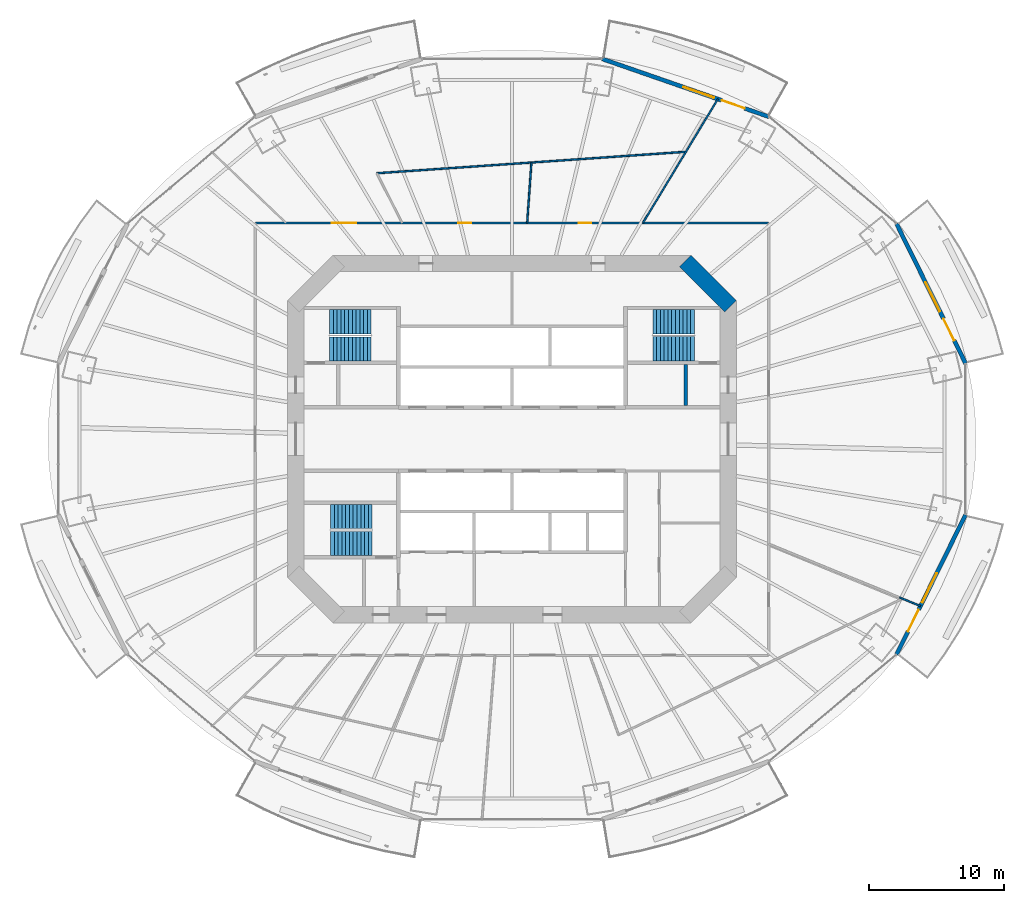
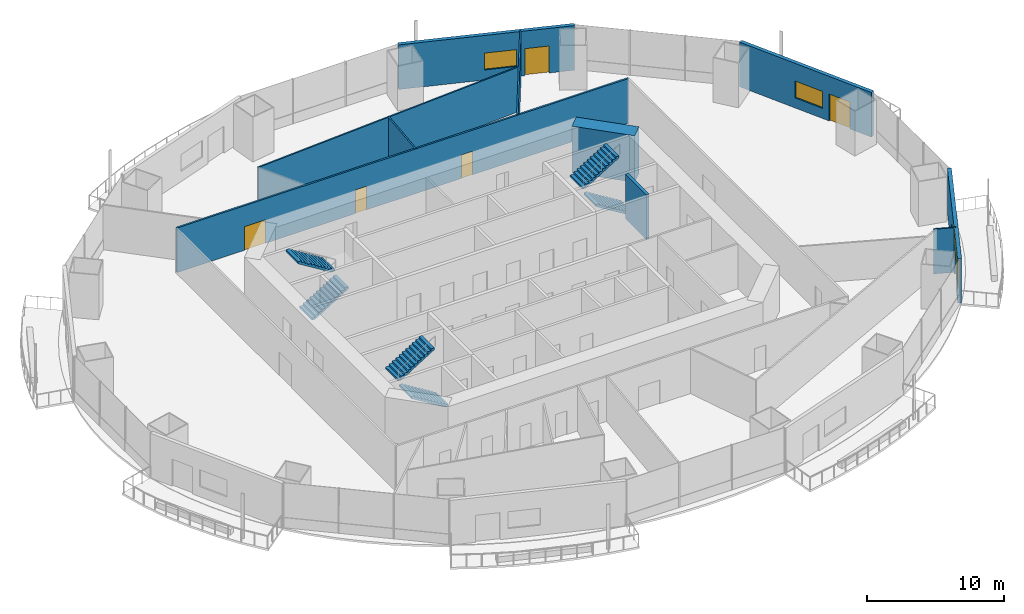
# One storey, part 16 of 22: 10 walls, 6 doors, 6 stair flights, 3 windows, 9 openings, 3 elements without a shape of their own.
"""IFC4 building model written with IfcOpenShell, lengths in metres."""

from ifc_helpers import new_model, si_unit, direction, frame, frame_2d, origin, place, context, subcontext, project, spatial, polyline, rectangle, outline, extrude, material, layer, layer_set, type_object, element, fill, aggregate, save


model = new_model("IFC4")

# Units and contexts
model_context = context("Model", 3, precision=1e-05, world=origin(), true_north=direction((0.0, 1.0)))
body_context = subcontext(model_context, "Body", "Model", "MODEL_VIEW")
ifc_project = project(units=[si_unit("LENGTHUNIT", "METRE"), si_unit("AREAUNIT", "SQUARE_METRE"), si_unit("VOLUMEUNIT", "CUBIC_METRE"), si_unit("PLANEANGLEUNIT", "RADIAN"), si_unit("MASSUNIT", "GRAM", prefix="KILO")], contexts=[model_context])

# Site, building, storey
site_placement = place(None, origin())
site = spatial("IfcSite", under=ifc_project, at=site_placement, CompositionType="ELEMENT")
building_placement = place(site_placement, origin())
building = spatial("IfcBuilding", under=site, at=building_placement, Name="Marenthal Gate Tower", CompositionType="ELEMENT")
storey_placement = place(building_placement, frame((0.0, 0.0, 107.699951171875)))
storey = spatial("IfcBuildingStorey", under=building, at=storey_placement, Name="L22", CompositionType="ELEMENT", Elevation=107.699951171875)

# Walls
ifc_material_1 = material(Name="Concrete 60 MPa", Category="concrete")
ifc_layer_1 = layer(ifc_material_1, 1.199951171875)
ifc_layer_set_1 = layer_set([ifc_layer_1], Name="Core shear wall 1200")
wall_type_1 = type_object("IfcWallType", Name="Core shear wall 1200", PredefinedType="SHEAR", material=ifc_layer_set_1)
wall_1_placement = place(storey_placement, frame((16.17578125, 9.82421875, -0.179931640625), z_axis=(0.0, 0.0, 1.0), x_axis=(-0.707106781187, 0.707106781187, 0.0)))
element("IfcWall", 1, at=wall_1_placement, inside=storey, type_object=wall_type_1, Name="Core wall 03", PredefinedType="SHEAR", context=body_context, shape_type="SweptSolid", body=[
    extrude(rectangle(XDim=4.73974609375, YDim=1.199951171875, at=frame_2d((2.369873046875, 0.0))), origin(), (0.0, 0.0, 1.0), 4.14990234375),
])
ifc_material_2 = material(Name="Gypsum board on steel studs", Category="steel")
ifc_layer_2 = layer(ifc_material_2, 0.1201171875)
ifc_layer_set_2 = layer_set([ifc_layer_2], Name="Partition 120")
wall_type_2 = type_object("IfcWallType", Name="Partition 120", PredefinedType="PARTITIONING", material=ifc_layer_set_2)
wall_2_placement = place(storey_placement, frame((1.436279296875, 20.469482421875, 0.0), z_axis=(0.0, 0.0, 1.0), x_axis=(-0.069965230182, -0.997549430638, 0.0)))
element("IfcWall", 2, at=wall_2_placement, inside=storey, type_object=wall_type_2, Name="Partition wall 58", PredefinedType="PARTITIONING", context=body_context, shape_type="SweptSolid", body=[
    extrude(rectangle(XDim=4.48046875, YDim=0.1201171875, at=frame_2d((2.240234375, 0.0))), origin(), (0.0, 0.0, 1.0), 3.969970703125),
])
wall_3_placement = place(storey_placement, frame((9.687255859375, 16.0, 0.0), z_axis=(0.0, 0.0, 1.0), x_axis=(0.517899667471, 0.855441368203, 0.0)))
element("IfcWall", 3, at=wall_3_placement, inside=storey, type_object=wall_type_2, Name="Partition wall 61", PredefinedType="PARTITIONING", context=body_context, shape_type="SweptSolid", body=[
    extrude(rectangle(XDim=10.714111328125, YDim=0.1201171875, at=frame_2d((5.35693359375, 0.0))), origin(), (0.0, 0.0, 1.0), 3.969970703125),
])
wall_4_placement = place(storey_placement, frame((12.8740234375, 21.263671875, 0.0), z_axis=(0.0, 0.0, 1.0), x_axis=(-0.99759796259, -0.069269798869, 0.0)))
element("IfcWall", 4, at=wall_4_placement, inside=storey, type_object=wall_type_2, Name="Partition wall 62", PredefinedType="PARTITIONING", context=body_context, shape_type="SweptSolid", body=[
    extrude(rectangle(XDim=22.930419921875, YDim=0.1201171875, at=frame_2d((11.46533203125, 0.0))), origin(), (0.0, 0.0, 1.0), 3.969970703125),
])
wall_5_placement = place(storey_placement, frame((28.6875, -11.721923828125, 0.0), z_axis=(0.0, 0.0, 1.0), x_axis=(0.92568226143, -0.378301930835, 0.0)))
element("IfcWall", 5, at=wall_5_placement, inside=storey, type_object=wall_type_2, Name="Partition wall 67", PredefinedType="PARTITIONING", context=body_context, shape_type="SweptSolid", body=[
    extrude(rectangle(XDim=1.666259765625, YDim=0.1201171875, at=frame_2d((0.8330078125, 0.0))), origin(), (0.0, 0.0, 1.0), 3.969970703125),
])

# Wall, openings, doors
ifc_material_3 = material(Name="Gypsum board on steel studs", Category="steel")
ifc_layer_3 = layer(ifc_material_3, 0.14990234375)
ifc_layer_set_3 = layer_set([ifc_layer_3], Name="Partition 150")
wall_type_3 = type_object("IfcWallType", Name="Partition 150", PredefinedType="PARTITIONING", material=ifc_layer_set_3)
wall_6_placement = place(storey_placement, frame((-19.0, 16.0, 0.0), z_axis=(0.0, 0.0, 1.0), x_axis=(1.0, 0.0, 0.0)))
wall_6 = element("IfcWall", 6, at=wall_6_placement, inside=storey, type_object=wall_type_3, Name="Partition wall 49", PredefinedType="PARTITIONING", context=body_context, shape_type="SweptSolid", body=[
    extrude(rectangle(XDim=38.0, YDim=0.14990234375, at=frame_2d((19.0, 0.0))), origin(), (0.0, 0.0, 1.0), 3.969970703125),
])
opening_1_placement = place(wall_6_placement, frame((23.929931640625, 0.0, 0.0)))
opening_1 = element("IfcOpeningElement", 7, at=opening_1_placement, cuts=wall_6, Name="Opening D016.01", PredefinedType="OPENING", context=body_context, shape_type="SweptSolid", body=[
    extrude(rectangle(XDim=0.949951171875, YDim=2.10009765625, at=frame_2d((0.47509765625, 1.050048828125))), frame((0.0, 0.0849609375, 0.0), z_axis=(0.0, -1.0, 0.0), x_axis=(1.0, 0.0, 0.0)), (0.0, 0.0, 1.0), 0.169921875),
])
opening_2_placement = place(wall_6_placement, frame((15.02001953125, 0.0, 0.0)))
opening_2 = element("IfcOpeningElement", 8, at=opening_2_placement, cuts=wall_6, Name="Opening D016.02", PredefinedType="OPENING", context=body_context, shape_type="SweptSolid", body=[
    extrude(rectangle(XDim=0.949951171875, YDim=2.10009765625, at=frame_2d((0.47509765625, 1.050048828125))), frame((0.0, 0.0849609375, 0.0), z_axis=(0.0, -1.0, 0.0), x_axis=(1.0, 0.0, 0.0)), (0.0, 0.0, 1.0), 0.169921875),
])
opening_3_placement = place(wall_6_placement, frame((5.6708984375, 0.0, 0.0)))
opening_3 = element("IfcOpeningElement", 9, at=opening_3_placement, cuts=wall_6, Name="Opening D014.01", PredefinedType="OPENING", context=body_context, shape_type="SweptSolid", body=[
    extrude(rectangle(XDim=1.800048828125, YDim=2.10009765625, at=frame_2d((0.89990234375, 1.050048828125))), frame((0.0, 0.0849609375, 0.0), z_axis=(0.0, -1.0, 0.0), x_axis=(1.0, 0.0, 0.0)), (0.0, 0.0, 1.0), 0.169921875),
])
ifc_material_4 = material(Name="Timber door", Category="wood")
door_type_1 = type_object("IfcDoorType", Name="Door 950 x 2100", OperationType="NOTDEFINED", PredefinedType="DOOR", material=ifc_material_4)
door_1_placement = place(opening_1_placement, origin())
door_1 = element("IfcDoor", 10, at=door_1_placement, inside=storey, type_object=door_type_1, Name="Door D016.01", OperationType="SINGLE_SWING_RIGHT", OverallHeight=2.10009765625, OverallWidth=0.949951171875, PredefinedType="DOOR", context=body_context, shape_type="SweptSolid", body=[
    extrude(rectangle(XDim=0.949951171875, YDim=2.10009765625, at=frame_2d((0.47509765625, 1.050048828125))), frame((0.0, 0.02490234375, 0.0), z_axis=(0.0, -1.0, 0.0), x_axis=(1.0, 0.0, 0.0)), (0.0, 0.0, 1.0), 0.050048828125),
])
fill(opening_1, door_1)
door_2_placement = place(opening_2_placement, origin())
door_2 = element("IfcDoor", 11, at=door_2_placement, inside=storey, type_object=door_type_1, Name="Door D016.02", OperationType="SINGLE_SWING_RIGHT", OverallHeight=2.10009765625, OverallWidth=0.949951171875, PredefinedType="DOOR", context=body_context, shape_type="SweptSolid", body=[
    extrude(rectangle(XDim=0.949951171875, YDim=2.10009765625, at=frame_2d((0.47509765625, 1.050048828125))), frame((0.0, 0.02490234375, 0.0), z_axis=(0.0, -1.0, 0.0), x_axis=(1.0, 0.0, 0.0)), (0.0, 0.0, 1.0), 0.050048828125),
])
fill(opening_2, door_2)
ifc_material_5 = material(Name="Timber door", Category="wood")
door_type_2 = type_object("IfcDoorType", Name="Double door 1800 x 2100", OperationType="DOUBLE_DOOR_SINGLE_SWING", PredefinedType="DOOR", material=ifc_material_5)
door_3_placement = place(opening_3_placement, origin())
door_3 = element("IfcDoor", 12, at=door_3_placement, inside=storey, type_object=door_type_2, Name="Door D014.01", OperationType="DOUBLE_DOOR_SINGLE_SWING", OverallHeight=2.10009765625, OverallWidth=1.800048828125, PredefinedType="DOOR", context=body_context, shape_type="SweptSolid", body=[
    extrude(rectangle(XDim=1.800048828125, YDim=2.10009765625, at=frame_2d((0.89990234375, 1.050048828125))), frame((0.0, 0.02490234375, 0.0), z_axis=(0.0, -1.0, 0.0), x_axis=(1.0, 0.0, 0.0)), (0.0, 0.0, 1.0), 0.050048828125),
])
fill(opening_3, door_3)

# Wall
ifc_material_6 = material(Name="Concrete 40 MPa", Category="concrete")
ifc_layer_4 = layer(ifc_material_6, 0.25)
ifc_layer_set_4 = layer_set([ifc_layer_4], Name="Stair enclosure wall 250")
wall_type_4 = type_object("IfcWallType", Name="Stair enclosure wall 250", PredefinedType="STANDARD", material=ifc_layer_set_4)
wall_7_placement = place(storey_placement, frame((12.85009765625, 2.47509765625, 0.0), z_axis=(0.0, 0.0, 1.0), x_axis=(0.0, 1.0, 0.0)))
element("IfcWall", 13, at=wall_7_placement, inside=storey, type_object=wall_type_4, Name="Stair wall 46", PredefinedType="STANDARD", context=body_context, shape_type="SweptSolid", body=[
    extrude(rectangle(XDim=3.0498046875, YDim=0.25, at=frame_2d((1.52490234375, 0.0))), origin(), (0.0, 0.0, 1.0), 3.969970703125),
])

# Wall, openings, door, window
ifc_material_7 = material(Name="Terracotta cladding on insulated concrete-block backing", Category="masonry")
ifc_layer_5 = layer(ifc_material_7, 0.300048828125)
ifc_layer_set_5 = layer_set([ifc_layer_5], Name="Terracotta facade wall 300")
wall_type_5 = type_object("IfcWallType", Name="Terracotta facade wall 300", PredefinedType="SOLIDWALL", material=ifc_layer_set_5)
wall_8_placement = place(storey_placement, frame((33.568359375, 5.5966796875, 0.0), z_axis=(0.0, 0.0, 1.0), x_axis=(-0.443018089739, 0.896512672618, 0.0)))
wall_8 = element("IfcWall", 14, at=wall_8_placement, inside=storey, type_object=wall_type_5, Name="Terracotta facade wall L22 bay 1", PredefinedType="SOLIDWALL", context=body_context, shape_type="SweptSolid", body=[
    extrude(rectangle(XDim=11.535400390625, YDim=0.300048828125, at=frame_2d((5.767578125, 0.0))), origin(), (0.0, 0.0, 1.0), 3.969970703125),
])
opening_4_placement = place(wall_8_placement, frame((1.89990234375, 0.0, 0.0)))
opening_4 = element("IfcOpeningElement", 15, at=opening_4_placement, cuts=wall_8, Name="Opening BD-L22-01", PredefinedType="OPENING", context=body_context, shape_type="SweptSolid", body=[
    extrude(rectangle(XDim=1.800048828125, YDim=2.39990234375, at=frame_2d((0.89990234375, 1.199951171875))), frame((0.0, 0.16015625, 0.0), z_axis=(0.0, -1.0, 0.0), x_axis=(1.0, 0.0, 0.0)), (0.0, 0.0, 1.0), 0.320068359375),
])
opening_5_placement = place(wall_8_placement, frame((4.300048828125, 0.0, 0.89990234375)))
opening_5 = element("IfcOpeningElement", 16, at=opening_5_placement, cuts=wall_8, Name="Opening WN1-L22-01", PredefinedType="OPENING", context=body_context, shape_type="SweptSolid", body=[
    extrude(rectangle(XDim=2.39990234375, YDim=1.5, at=frame_2d((1.199951171875, 0.75))), frame((0.0, 0.16015625, 0.0), z_axis=(0.0, -1.0, 0.0), x_axis=(1.0, 0.0, 0.0)), (0.0, 0.0, 1.0), 0.320068359375),
])
ifc_material_8 = material(Name="Aluminium and glass", Category="aluminium")
door_type_3 = type_object("IfcDoorType", Name="Balcony door 1800x2400", OperationType="DOUBLE_DOOR_SINGLE_SWING", PredefinedType="DOOR", material=ifc_material_8)
door_4_placement = place(opening_4_placement, origin())
door_4 = element("IfcDoor", 17, at=door_4_placement, inside=storey, type_object=door_type_3, Name="Balcony door L22 bay 1", OperationType="SINGLE_SWING_LEFT", OverallHeight=2.39990234375, OverallWidth=1.800048828125, PredefinedType="DOOR", context=body_context, shape_type="SweptSolid", body=[
    extrude(rectangle(XDim=1.800048828125, YDim=2.39990234375, at=frame_2d((0.89990234375, 1.199951171875))), frame((0.0, 0.02490234375, 0.0), z_axis=(0.0, -1.0, 0.0), x_axis=(1.0, 0.0, 0.0)), (0.0, 0.0, 1.0), 0.050048828125),
])
fill(opening_4, door_4)
ifc_material_9 = material(Name="Aluminium and glass", Category="aluminium")
window_type = type_object("IfcWindowType", Name="Window 2400x1500", PartitioningType="TRIPLE_PANEL_VERTICAL", PredefinedType="WINDOW", material=ifc_material_9)
window_1_placement = place(opening_5_placement, origin())
window_1 = element("IfcWindow", 18, at=window_1_placement, inside=storey, type_object=window_type, Name="Window L22 bay 1", OverallHeight=1.5, OverallWidth=2.39990234375, PartitioningType="SINGLE_PANEL", PredefinedType="WINDOW", context=body_context, shape_type="SweptSolid", body=[
    extrude(rectangle(XDim=2.39990234375, YDim=1.5, at=frame_2d((1.199951171875, 0.75))), frame((0.0, 0.030029296875, 0.0), z_axis=(0.0, -1.0, 0.0), x_axis=(1.0, 0.0, 0.0)), (0.0, 0.0, 1.0), 0.06005859375),
])
fill(opening_5, window_1)

wall_9_placement = place(storey_placement, frame((19.014892578125, 23.853271484375, 0.0), z_axis=(0.0, 0.0, 1.0), x_axis=(-0.944684524645, 0.327980409318, 0.0)))
wall_9 = element("IfcWall", 19, at=wall_9_placement, inside=storey, type_object=wall_type_5, Name="Terracotta facade wall L22 bay 3", PredefinedType="SOLIDWALL", context=body_context, shape_type="SweptSolid", body=[
    extrude(rectangle(XDim=13.06005859375, YDim=0.300048828125, at=frame_2d((6.530029296875, 0.0))), origin(), (0.0, 0.0, 1.0), 3.969970703125),
])
opening_6_placement = place(wall_9_placement, frame((1.89990234375, 0.0, 0.0)))
opening_6 = element("IfcOpeningElement", 20, at=opening_6_placement, cuts=wall_9, Name="Opening BD-L22-03", PredefinedType="OPENING", context=body_context, shape_type="SweptSolid", body=[
    extrude(rectangle(XDim=1.800048828125, YDim=2.39990234375, at=frame_2d((0.89990234375, 1.199951171875))), frame((0.0, 0.16015625, 0.0), z_axis=(0.0, -1.0, 0.0), x_axis=(1.0, 0.0, 0.0)), (0.0, 0.0, 1.0), 0.320068359375),
])
opening_7_placement = place(wall_9_placement, frame((4.300048828125, 0.0, 0.89990234375)))
opening_7 = element("IfcOpeningElement", 21, at=opening_7_placement, cuts=wall_9, Name="Opening WN1-L22-03", PredefinedType="OPENING", context=body_context, shape_type="SweptSolid", body=[
    extrude(rectangle(XDim=2.39990234375, YDim=1.5, at=frame_2d((1.199951171875, 0.75))), frame((0.0, 0.16015625, 0.0), z_axis=(0.0, -1.0, 0.0), x_axis=(1.0, 0.0, 0.0)), (0.0, 0.0, 1.0), 0.320068359375),
])
door_5_placement = place(opening_6_placement, origin())
door_5 = element("IfcDoor", 22, at=door_5_placement, inside=storey, type_object=door_type_3, Name="Balcony door L22 bay 3", OperationType="SINGLE_SWING_LEFT", OverallHeight=2.39990234375, OverallWidth=1.800048828125, PredefinedType="DOOR", context=body_context, shape_type="SweptSolid", body=[
    extrude(rectangle(XDim=1.800048828125, YDim=2.39990234375, at=frame_2d((0.89990234375, 1.199951171875))), frame((0.0, 0.02490234375, 0.0), z_axis=(0.0, -1.0, 0.0), x_axis=(1.0, 0.0, 0.0)), (0.0, 0.0, 1.0), 0.050048828125),
])
fill(opening_6, door_5)
window_2_placement = place(opening_7_placement, origin())
window_2 = element("IfcWindow", 23, at=window_2_placement, inside=storey, type_object=window_type, Name="Window L22 bay 3", OverallHeight=1.5, OverallWidth=2.39990234375, PartitioningType="SINGLE_PANEL", PredefinedType="WINDOW", context=body_context, shape_type="SweptSolid", body=[
    extrude(rectangle(XDim=2.39990234375, YDim=1.5, at=frame_2d((1.199951171875, 0.75))), frame((0.0, 0.030029296875, 0.0), z_axis=(0.0, -1.0, 0.0), x_axis=(1.0, 0.0, 0.0)), (0.0, 0.0, 1.0), 0.06005859375),
])
fill(opening_7, window_2)

wall_10_placement = place(storey_placement, frame((28.4580078125, -15.938232421875, 0.0), z_axis=(0.0, 0.0, 1.0), x_axis=(0.443026495864, 0.896508518622, 0.0)))
wall_10 = element("IfcWall", 24, at=wall_10_placement, inside=storey, type_object=wall_type_5, Name="Terracotta facade wall L22 bay 15", PredefinedType="SOLIDWALL", context=body_context, shape_type="SweptSolid", body=[
    extrude(rectangle(XDim=11.53515625, YDim=0.300048828125, at=frame_2d((5.767578125, 0.0))), origin(), (0.0, 0.0, 1.0), 3.969970703125),
])
opening_8_placement = place(wall_10_placement, frame((1.89990234375, 0.0, 0.0)))
opening_8 = element("IfcOpeningElement", 25, at=opening_8_placement, cuts=wall_10, Name="Opening BD-L22-15", PredefinedType="OPENING", context=body_context, shape_type="SweptSolid", body=[
    extrude(rectangle(XDim=1.800048828125, YDim=2.39990234375, at=frame_2d((0.89990234375, 1.199951171875))), frame((0.0, 0.16015625, 0.0), z_axis=(0.0, -1.0, 0.0), x_axis=(1.0, 0.0, 0.0)), (0.0, 0.0, 1.0), 0.320068359375),
])
opening_9_placement = place(wall_10_placement, frame((4.300048828125, 0.0, 0.89990234375)))
opening_9 = element("IfcOpeningElement", 26, at=opening_9_placement, cuts=wall_10, Name="Opening WN1-L22-15", PredefinedType="OPENING", context=body_context, shape_type="SweptSolid", body=[
    extrude(rectangle(XDim=2.39990234375, YDim=1.5, at=frame_2d((1.199951171875, 0.75))), frame((0.0, 0.16015625, 0.0), z_axis=(0.0, -1.0, 0.0), x_axis=(1.0, 0.0, 0.0)), (0.0, 0.0, 1.0), 0.320068359375),
])
door_6_placement = place(opening_8_placement, origin())
door_6 = element("IfcDoor", 27, at=door_6_placement, inside=storey, type_object=door_type_3, Name="Balcony door L22 bay 15", OperationType="SINGLE_SWING_LEFT", OverallHeight=2.39990234375, OverallWidth=1.800048828125, PredefinedType="DOOR", context=body_context, shape_type="SweptSolid", body=[
    extrude(rectangle(XDim=1.800048828125, YDim=2.39990234375, at=frame_2d((0.89990234375, 1.199951171875))), frame((0.0, 0.02490234375, 0.0), z_axis=(0.0, -1.0, 0.0), x_axis=(1.0, 0.0, 0.0)), (0.0, 0.0, 1.0), 0.050048828125),
])
fill(opening_8, door_6)
window_3_placement = place(opening_9_placement, origin())
window_3 = element("IfcWindow", 28, at=window_3_placement, inside=storey, type_object=window_type, Name="Window L22 bay 15", OverallHeight=1.5, OverallWidth=2.39990234375, PartitioningType="SINGLE_PANEL", PredefinedType="WINDOW", context=body_context, shape_type="SweptSolid", body=[
    extrude(rectangle(XDim=2.39990234375, YDim=1.5, at=frame_2d((1.199951171875, 0.75))), frame((0.0, 0.030029296875, 0.0), z_axis=(0.0, -1.0, 0.0), x_axis=(1.0, 0.0, 0.0)), (0.0, 0.0, 1.0), 0.06005859375),
])
fill(opening_9, window_3)

# Stair, stair flights
ifc_material_10 = material(Name="Concrete 40 MPa", Category="concrete")
stair_type = type_object("IfcStairType", Name="Exit stair 1800", PredefinedType="HALF_TURN_STAIR", material=ifc_material_10)
stair_1_placement = place(storey_placement, origin())
stair_1 = element("IfcStair", 29, at=stair_1_placement, inside=storey, type_object=stair_type, Name="Stair ST1", PredefinedType="HALF_TURN_STAIR")
ifc_material_11 = material(Name="Concrete 40 MPa", Category="concrete")
stair_flight_type = type_object("IfcStairFlightType", Name="Stair flight 1800", PredefinedType="STRAIGHT", material=ifc_material_11)
stair_flight_1_placement = place(storey_placement, frame((-13.5, 6.675048828125, 0.0), z_axis=(0.0, 0.0, 1.0), x_axis=(1.0, 0.0, 0.0)))
stair_flight_1 = element("IfcStairFlight", 30, at=stair_flight_1_placement, type_object=stair_flight_type, Name="ST1 flight 1", NumberOfRisers=12, NumberOfTreads=11, PredefinedType="STRAIGHT", RiserHeight=0.172916667, TreadLength=0.28, context=body_context, shape_type="SweptSolid", body=[
    extrude(outline(polyline([(0.0, 0.0), (0.0, 0.1728515625), (0.280029296875, 0.1728515625), (0.280029296875, 0.345947265625), (0.56005859375, 0.345947265625), (0.56005859375, 0.518798828125), (0.840087890625, 0.518798828125), (0.840087890625, 0.691650390625), (1.1201171875, 0.691650390625), (1.1201171875, 0.864501953125), (1.39990234375, 0.864501953125), (1.39990234375, 1.03759765625), (1.679931640625, 1.03759765625), (1.679931640625, 1.21044921875), (1.9599609375, 1.21044921875), (1.9599609375, 1.38330078125), (2.239990234375, 1.38330078125), (2.239990234375, 1.55615234375), (2.52001953125, 1.55615234375), (2.52001953125, 1.729248046875), (2.800048828125, 1.729248046875), (2.800048828125, 1.902099609375), (3.080078125, 1.902099609375), (3.080078125, 2.074951171875), (3.080078125, 1.725830078125), (0.285400390625, 0.0), (0.0, 0.0)])), frame((0.0, 0.89990234375, 0.0), z_axis=(0.0, -1.0, 0.0), x_axis=(1.0, 0.0, 0.0)), (0.0, 0.0, 1.0), 1.800048828125),
])
stair_flight_2_placement = place(storey_placement, frame((-10.419921875, 8.675048828125, 2.074951171875), z_axis=(0.0, 0.0, 1.0), x_axis=(-1.0, 0.0, 0.0)))
stair_flight_2 = element("IfcStairFlight", 31, at=stair_flight_2_placement, type_object=stair_flight_type, Name="ST1 flight 2", NumberOfRisers=12, NumberOfTreads=11, PredefinedType="STRAIGHT", RiserHeight=0.172916667, TreadLength=0.28, context=body_context, shape_type="SweptSolid", body=[
    extrude(outline(polyline([(0.0, 0.0), (0.0, 0.1728515625), (0.280029296875, 0.1728515625), (0.280029296875, 0.345947265625), (0.56005859375, 0.345947265625), (0.56005859375, 0.518798828125), (0.840087890625, 0.518798828125), (0.840087890625, 0.691650390625), (1.1201171875, 0.691650390625), (1.1201171875, 0.864501953125), (1.39990234375, 0.864501953125), (1.39990234375, 1.03759765625), (1.679931640625, 1.03759765625), (1.679931640625, 1.21044921875), (1.9599609375, 1.21044921875), (1.9599609375, 1.38330078125), (2.239990234375, 1.38330078125), (2.239990234375, 1.55615234375), (2.52001953125, 1.55615234375), (2.52001953125, 1.729248046875), (2.800048828125, 1.729248046875), (2.800048828125, 1.902099609375), (3.080078125, 1.902099609375), (3.080078125, 2.074951171875), (3.080078125, 1.725830078125), (0.285400390625, 0.0), (0.0, 0.0)])), frame((0.0, 0.89990234375, 0.0), z_axis=(0.0, -1.0, 0.0), x_axis=(1.0, 0.0, 0.0)), (0.0, 0.0, 1.0), 1.800048828125),
])
aggregate(stair_1, [stair_flight_1, stair_flight_2])

stair_2_placement = place(storey_placement, origin())
stair_2 = element("IfcStair", 32, at=stair_2_placement, inside=storey, type_object=stair_type, Name="Stair ST2", PredefinedType="HALF_TURN_STAIR")
stair_flight_3_placement = place(storey_placement, frame((-10.35009765625, -7.72509765625, 0.0), z_axis=(0.0, 0.0, 1.0), x_axis=(-1.0, 0.0, 0.0)))
stair_flight_3 = element("IfcStairFlight", 33, at=stair_flight_3_placement, type_object=stair_flight_type, Name="ST2 flight 1", NumberOfRisers=12, NumberOfTreads=11, PredefinedType="STRAIGHT", RiserHeight=0.172916667, TreadLength=0.28, context=body_context, shape_type="SweptSolid", body=[
    extrude(outline(polyline([(0.0, 0.0), (0.0, 0.1728515625), (0.280029296875, 0.1728515625), (0.280029296875, 0.345947265625), (0.56005859375, 0.345947265625), (0.56005859375, 0.518798828125), (0.840087890625, 0.518798828125), (0.840087890625, 0.691650390625), (1.1201171875, 0.691650390625), (1.1201171875, 0.864501953125), (1.39990234375, 0.864501953125), (1.39990234375, 1.03759765625), (1.679931640625, 1.03759765625), (1.679931640625, 1.21044921875), (1.9599609375, 1.21044921875), (1.9599609375, 1.38330078125), (2.239990234375, 1.38330078125), (2.239990234375, 1.55615234375), (2.52001953125, 1.55615234375), (2.52001953125, 1.729248046875), (2.800048828125, 1.729248046875), (2.800048828125, 1.902099609375), (3.080078125, 1.902099609375), (3.080078125, 2.074951171875), (3.080078125, 1.725830078125), (0.285400390625, 0.0), (0.0, 0.0)])), frame((0.0, 0.89990234375, 0.0), z_axis=(0.0, -1.0, 0.0), x_axis=(1.0, 0.0, 0.0)), (0.0, 0.0, 1.0), 1.800048828125),
])
stair_flight_4_placement = place(storey_placement, frame((-13.429931640625, -5.72509765625, 2.074951171875), z_axis=(0.0, 0.0, 1.0), x_axis=(1.0, 0.0, 0.0)))
stair_flight_4 = element("IfcStairFlight", 34, at=stair_flight_4_placement, type_object=stair_flight_type, Name="ST2 flight 2", NumberOfRisers=12, NumberOfTreads=11, PredefinedType="STRAIGHT", RiserHeight=0.172916667, TreadLength=0.28, context=body_context, shape_type="SweptSolid", body=[
    extrude(outline(polyline([(0.0, 0.0), (0.0, 0.1728515625), (0.280029296875, 0.1728515625), (0.280029296875, 0.345947265625), (0.56005859375, 0.345947265625), (0.56005859375, 0.518798828125), (0.840087890625, 0.518798828125), (0.840087890625, 0.691650390625), (1.1201171875, 0.691650390625), (1.1201171875, 0.864501953125), (1.39990234375, 0.864501953125), (1.39990234375, 1.03759765625), (1.679931640625, 1.03759765625), (1.679931640625, 1.21044921875), (1.9599609375, 1.21044921875), (1.9599609375, 1.38330078125), (2.239990234375, 1.38330078125), (2.239990234375, 1.55615234375), (2.52001953125, 1.55615234375), (2.52001953125, 1.729248046875), (2.800048828125, 1.729248046875), (2.800048828125, 1.902099609375), (3.080078125, 1.902099609375), (3.080078125, 2.074951171875), (3.080078125, 1.725830078125), (0.285400390625, 0.0), (0.0, 0.0)])), frame((0.0, 0.89990234375, 0.0), z_axis=(0.0, -1.0, 0.0), x_axis=(1.0, 0.0, 0.0)), (0.0, 0.0, 1.0), 1.800048828125),
])
aggregate(stair_2, [stair_flight_3, stair_flight_4])

stair_3_placement = place(storey_placement, origin())
stair_3 = element("IfcStair", 35, at=stair_3_placement, inside=storey, type_object=stair_type, Name="Stair ST3", PredefinedType="HALF_TURN_STAIR")
stair_flight_5_placement = place(storey_placement, frame((13.5, 6.675048828125, 0.0), z_axis=(0.0, 0.0, 1.0), x_axis=(-1.0, 0.0, 0.0)))
stair_flight_5 = element("IfcStairFlight", 36, at=stair_flight_5_placement, type_object=stair_flight_type, Name="ST3 flight 1", NumberOfRisers=12, NumberOfTreads=11, PredefinedType="STRAIGHT", RiserHeight=0.172916667, TreadLength=0.28, context=body_context, shape_type="SweptSolid", body=[
    extrude(outline(polyline([(0.0, 0.0), (0.0, 0.1728515625), (0.280029296875, 0.1728515625), (0.280029296875, 0.345947265625), (0.56005859375, 0.345947265625), (0.56005859375, 0.518798828125), (0.840087890625, 0.518798828125), (0.840087890625, 0.691650390625), (1.1201171875, 0.691650390625), (1.1201171875, 0.864501953125), (1.39990234375, 0.864501953125), (1.39990234375, 1.03759765625), (1.679931640625, 1.03759765625), (1.679931640625, 1.21044921875), (1.9599609375, 1.21044921875), (1.9599609375, 1.38330078125), (2.239990234375, 1.38330078125), (2.239990234375, 1.55615234375), (2.52001953125, 1.55615234375), (2.52001953125, 1.729248046875), (2.800048828125, 1.729248046875), (2.800048828125, 1.902099609375), (3.080078125, 1.902099609375), (3.080078125, 2.074951171875), (3.080078125, 1.725830078125), (0.285400390625, 0.0), (0.0, 0.0)])), frame((0.0, 0.89990234375, 0.0), z_axis=(0.0, -1.0, 0.0), x_axis=(1.0, 0.0, 0.0)), (0.0, 0.0, 1.0), 1.800048828125),
])
stair_flight_6_placement = place(storey_placement, frame((10.419921875, 8.675048828125, 2.074951171875), z_axis=(0.0, 0.0, 1.0), x_axis=(1.0, 0.0, 0.0)))
stair_flight_6 = element("IfcStairFlight", 37, at=stair_flight_6_placement, type_object=stair_flight_type, Name="ST3 flight 2", NumberOfRisers=12, NumberOfTreads=11, PredefinedType="STRAIGHT", RiserHeight=0.172916667, TreadLength=0.28, context=body_context, shape_type="SweptSolid", body=[
    extrude(outline(polyline([(0.0, 0.0), (0.0, 0.1728515625), (0.280029296875, 0.1728515625), (0.280029296875, 0.345947265625), (0.56005859375, 0.345947265625), (0.56005859375, 0.518798828125), (0.840087890625, 0.518798828125), (0.840087890625, 0.691650390625), (1.1201171875, 0.691650390625), (1.1201171875, 0.864501953125), (1.39990234375, 0.864501953125), (1.39990234375, 1.03759765625), (1.679931640625, 1.03759765625), (1.679931640625, 1.21044921875), (1.9599609375, 1.21044921875), (1.9599609375, 1.38330078125), (2.239990234375, 1.38330078125), (2.239990234375, 1.55615234375), (2.52001953125, 1.55615234375), (2.52001953125, 1.729248046875), (2.800048828125, 1.729248046875), (2.800048828125, 1.902099609375), (3.080078125, 1.902099609375), (3.080078125, 2.074951171875), (3.080078125, 1.725830078125), (0.285400390625, 0.0), (0.0, 0.0)])), frame((0.0, 0.89990234375, 0.0), z_axis=(0.0, -1.0, 0.0), x_axis=(1.0, 0.0, 0.0)), (0.0, 0.0, 1.0), 1.800048828125),
])
aggregate(stair_3, [stair_flight_5, stair_flight_6])

save(model, "model.ifc")
